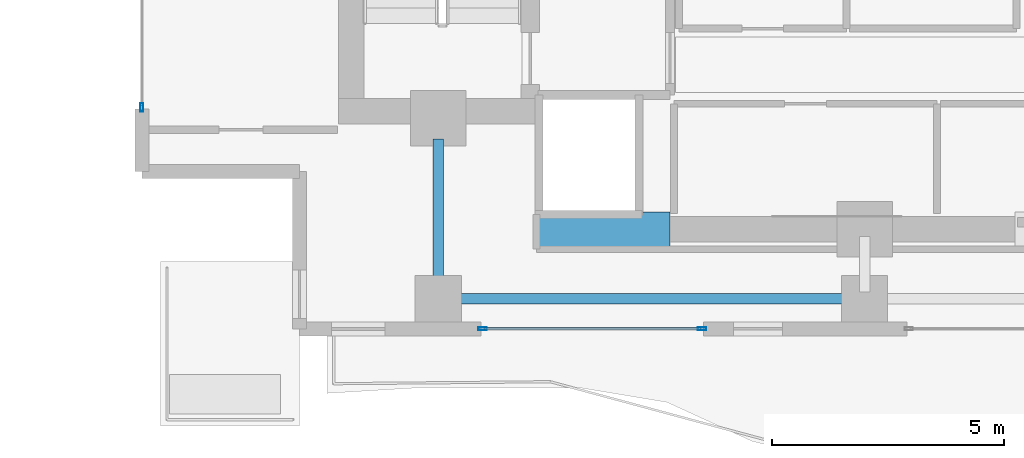
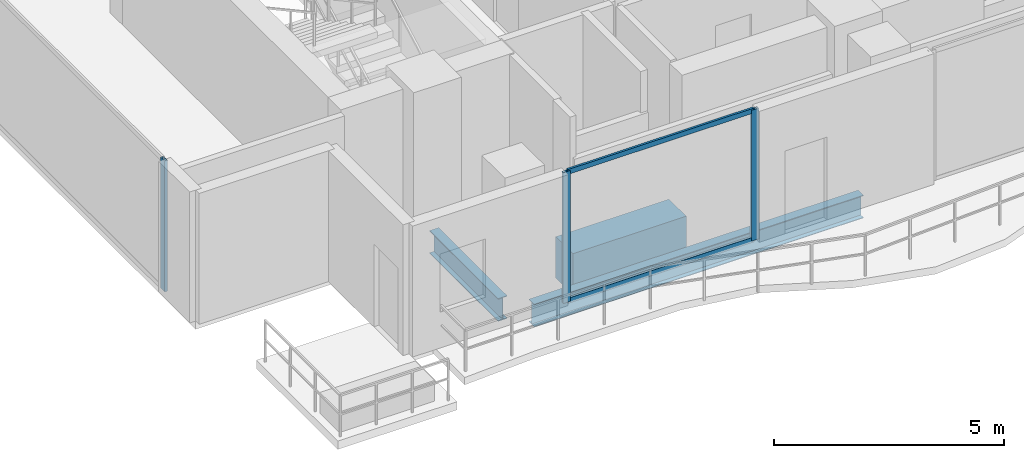
# One storey, part 2 of 24: 5 members, 3 beams, 2 elements without a shape of their own.
"""IFC4 building model written with IfcOpenShell, lengths in metres."""

from ifc_helpers import new_model, si_unit, direction, frame, origin, origin_2d, place, context, subcontext, project, spatial, rectangle, hollow_rectangle, i_section, extrude, material, layer, layer_set, material_profile, profile_set, type_object, element, aggregate, save


model = new_model("IFC4")

# Units and contexts
model_context = context("Model", 3, precision=1e-05, world=origin(), true_north=direction((0.0, 1.0)))
body_context = subcontext(model_context, "Body", "Model", "MODEL_VIEW")
ifc_project = project(units=[si_unit("LENGTHUNIT", "METRE"), si_unit("AREAUNIT", "SQUARE_METRE"), si_unit("VOLUMEUNIT", "CUBIC_METRE"), si_unit("PLANEANGLEUNIT", "RADIAN"), si_unit("MASSUNIT", "GRAM", prefix="KILO")], contexts=[model_context])

# Site, building, storey
site_placement = place(None, origin())
site = spatial("IfcSite", under=ifc_project, at=site_placement, CompositionType="ELEMENT")
building_placement = place(site_placement, origin())
building = spatial("IfcBuilding", under=site, at=building_placement, Name="Zuhayl Quay Hotel", CompositionType="ELEMENT")
storey_placement = place(building_placement, frame((0.0, 0.0, 280.35009765625)))
storey = spatial("IfcBuildingStorey", under=building, at=storey_placement, Name="L71", CompositionType="ELEMENT", Elevation=280.35009765625)

# Beams
ifc_material_1 = material(Name="Steel ASTM A992 Grade 50", Category="steel")
ifc_material_profile_1 = material_profile(ifc_material_1, i_section(OverallWidth=0.22802734375, OverallDepth=0.60693359375, WebThickness=0.01123046875, FlangeThickness=0.017333984375, at=origin_2d()), Name="W24X76")
ifc_profile_set_1 = profile_set([ifc_material_profile_1], Name="Steel ASTM A992 Grade 50")
beam_type_1 = type_object("IfcBeamType", Name="BM_B3_W24X76", PredefinedType="BEAM", material=ifc_profile_set_1)
beam_1_placement = place(storey_placement, frame((-13.340087890625, 0.64990234375, -0.523681640625), z_axis=(1.0, 0.0, 0.0), x_axis=(0.0, 1.0, 0.0)))
element("IfcBeam", 1, at=beam_1_placement, inside=storey, type_object=beam_type_1, Name="L71 Floor Beam RG_L71_01", PredefinedType="BEAM", context=body_context, shape_type="SweptSolid", body=[
    extrude(i_section(OverallWidth=0.22802734375, OverallDepth=0.60693359375, WebThickness=0.01123046875, FlangeThickness=0.017333984375, at=origin_2d()), origin(), (0.0, 0.0, 1.0), 8.280029296875),
])
beam_2_placement = place(storey_placement, frame((-13.800048828125, 1.110107421875, -0.523681640625), z_axis=(0.0, 1.0, 0.0), x_axis=(-1.0, 0.0, 0.0)))
element("IfcBeam", 2, at=beam_2_placement, inside=storey, type_object=beam_type_1, Name="L71 Floor Beam FG_S_L71_1", PredefinedType="BEAM", context=body_context, shape_type="SweptSolid", body=[
    extrude(i_section(OverallWidth=0.22802734375, OverallDepth=0.60693359375, WebThickness=0.01123046875, FlangeThickness=0.017333984375, at=origin_2d()), origin(), (0.0, 0.0, 1.0), 2.989990234375),
])
ifc_material_2 = material(Name="Concrete C60/75", Category="concrete")
ifc_material_profile_2 = material_profile(ifc_material_2, rectangle(XDim=0.75, YDim=1.10009765625, at=origin_2d()), Name="RC750X1100")
ifc_profile_set_2 = profile_set([ifc_material_profile_2], Name="Concrete C60/75")
beam_type_2 = type_object("IfcBeamType", Name="BM_CB2_RC750", PredefinedType="T_BEAM", material=ifc_profile_set_2)
beam_3_placement = place(storey_placement, frame((-11.64990234375, 2.14990234375, -0.77001953125), z_axis=(1.0, 0.0, 0.0), x_axis=(0.0, 1.0, 0.0)))
element("IfcBeam", 3, at=beam_3_placement, inside=storey, type_object=beam_type_2, Name="L71 Core Coupling Beam SW", PredefinedType="T_BEAM", context=body_context, shape_type="SweptSolid", body=[
    extrude(rectangle(XDim=0.75, YDim=1.10009765625, at=origin_2d()), origin(), (0.0, 0.0, 1.0), 2.849853515625),
])

# Curtain wall, member
ifc_material_3 = material(Name="Anodised Aluminium 6063-T6", Category="aluminium")
ifc_layer = layer(ifc_material_3, 0.169921875, Name="Anodised Aluminium 6063-T6", Category="aluminium")
ifc_layer_set = layer_set([ifc_layer], Name="Anodised Aluminium 6063-T6")
curtain_wall_type = type_object("IfcCurtainWallType", Name="CW_SYS_Z4", PredefinedType="USERDEFINED", material=ifc_layer_set)
curtain_wall_1_placement = place(storey_placement, origin())
curtain_wall_1 = element("IfcCurtainWall", 4, at=curtain_wall_1_placement, inside=storey, type_object=curtain_wall_type, Name="L71 Curtain Wall ENV_L71_E02_CW1", ObjectType="UNITISED CURTAIN WALL", PredefinedType="USERDEFINED")
ifc_material_4 = material(Name="Black-anodised aluminium 6063-T6", Category="aluminium")
ifc_material_profile_3 = material_profile(ifc_material_4, hollow_rectangle(XDim=0.06494140625, YDim=0.179931640625, WallThickness=0.00341796875, at=origin_2d()), Name="ALU180X65")
ifc_profile_set_3 = profile_set([ifc_material_profile_3], Name="Black-anodised aluminium 6063-T6")
member_type_1 = type_object("IfcMemberType", Name="MB_CW_MUL_180", PredefinedType="MULLION", material=ifc_profile_set_3)
member_1_placement = place(storey_placement, frame((-20.199951171875, 4.782470703125, 0.0), z_axis=(0.0, 0.0, 1.0), x_axis=(-1.0, 0.0, 0.0)))
member_1 = element("IfcMember", 5, at=member_1_placement, type_object=member_type_1, Name="CW-Z4 mullion 1", PredefinedType="MULLION", context=body_context, shape_type="SweptSolid", body=[
    extrude(hollow_rectangle(XDim=0.06494140625, YDim=0.179931640625, WallThickness=0.00341796875, at=origin_2d()), origin(), (0.0, 0.0, 1.0), 3.47998046875),
])
aggregate(curtain_wall_1, [member_1])

# Curtain wall, members
curtain_wall_2_placement = place(storey_placement, origin())
curtain_wall_2 = element("IfcCurtainWall", 6, at=curtain_wall_2_placement, inside=storey, type_object=curtain_wall_type, Name="L71 Curtain Wall ENV_L71_S_CW4", ObjectType="UNITISED CURTAIN WALL", PredefinedType="USERDEFINED")
member_2_placement = place(storey_placement, frame((-8.107421875, 0.0, 0.0), z_axis=(0.0, 0.0, 1.0), x_axis=(0.0, -1.0, 0.0)))
member_2 = element("IfcMember", 7, at=member_2_placement, type_object=member_type_1, Name="CW-Z4 mullion 1", PredefinedType="MULLION", context=body_context, shape_type="SweptSolid", body=[
    extrude(hollow_rectangle(XDim=0.06494140625, YDim=0.179931640625, WallThickness=0.00341796875, at=origin_2d()), origin(), (0.0, 0.0, 1.0), 3.47998046875),
])
member_3_placement = place(storey_placement, frame((-12.847412109375, 0.0, 0.0), z_axis=(0.0, 0.0, 1.0), x_axis=(0.0, -1.0, 0.0)))
member_3 = element("IfcMember", 8, at=member_3_placement, type_object=member_type_1, Name="CW-Z4 mullion 2", PredefinedType="MULLION", context=body_context, shape_type="SweptSolid", body=[
    extrude(hollow_rectangle(XDim=0.06494140625, YDim=0.179931640625, WallThickness=0.00341796875, at=origin_2d()), origin(), (0.0, 0.0, 1.0), 3.47998046875),
])
ifc_material_profile_4 = material_profile(ifc_material_4, hollow_rectangle(XDim=0.054931640625, YDim=0.1298828125, WallThickness=0.0029296875, at=origin_2d()), Name="ALU130X55")
ifc_profile_set_4 = profile_set([ifc_material_profile_4], Name="Black-anodised aluminium 6063-T6")
member_type_2 = type_object("IfcMemberType", Name="MB_CW_TRN_130", PredefinedType="USERDEFINED", material=ifc_profile_set_4)
member_4_placement = place(storey_placement, frame((-8.139892578125, 0.0, 0.02734375), z_axis=(-1.0, 0.0, 0.0), x_axis=(0.0, -1.0, 0.0)))
member_4 = element("IfcMember", 9, at=member_4_placement, type_object=member_type_2, Name="CW-Z4 transom 1.1", ObjectType="TRANSOM", PredefinedType="USERDEFINED", context=body_context, shape_type="SweptSolid", body=[
    extrude(hollow_rectangle(XDim=0.054931640625, YDim=0.1298828125, WallThickness=0.0029296875, at=origin_2d()), origin(), (0.0, 0.0, 1.0), 4.675048828125),
])
member_5_placement = place(storey_placement, frame((-8.139892578125, 0.0, 3.452392578125), z_axis=(-1.0, 0.0, 0.0), x_axis=(0.0, -1.0, 0.0)))
member_5 = element("IfcMember", 10, at=member_5_placement, type_object=member_type_2, Name="CW-Z4 transom 1.2", ObjectType="TRANSOM", PredefinedType="USERDEFINED", context=body_context, shape_type="SweptSolid", body=[
    extrude(hollow_rectangle(XDim=0.054931640625, YDim=0.1298828125, WallThickness=0.0029296875, at=origin_2d()), origin(), (0.0, 0.0, 1.0), 4.675048828125),
])
aggregate(curtain_wall_2, [member_2, member_3, member_4, member_5])

save(model, "model.ifc")
